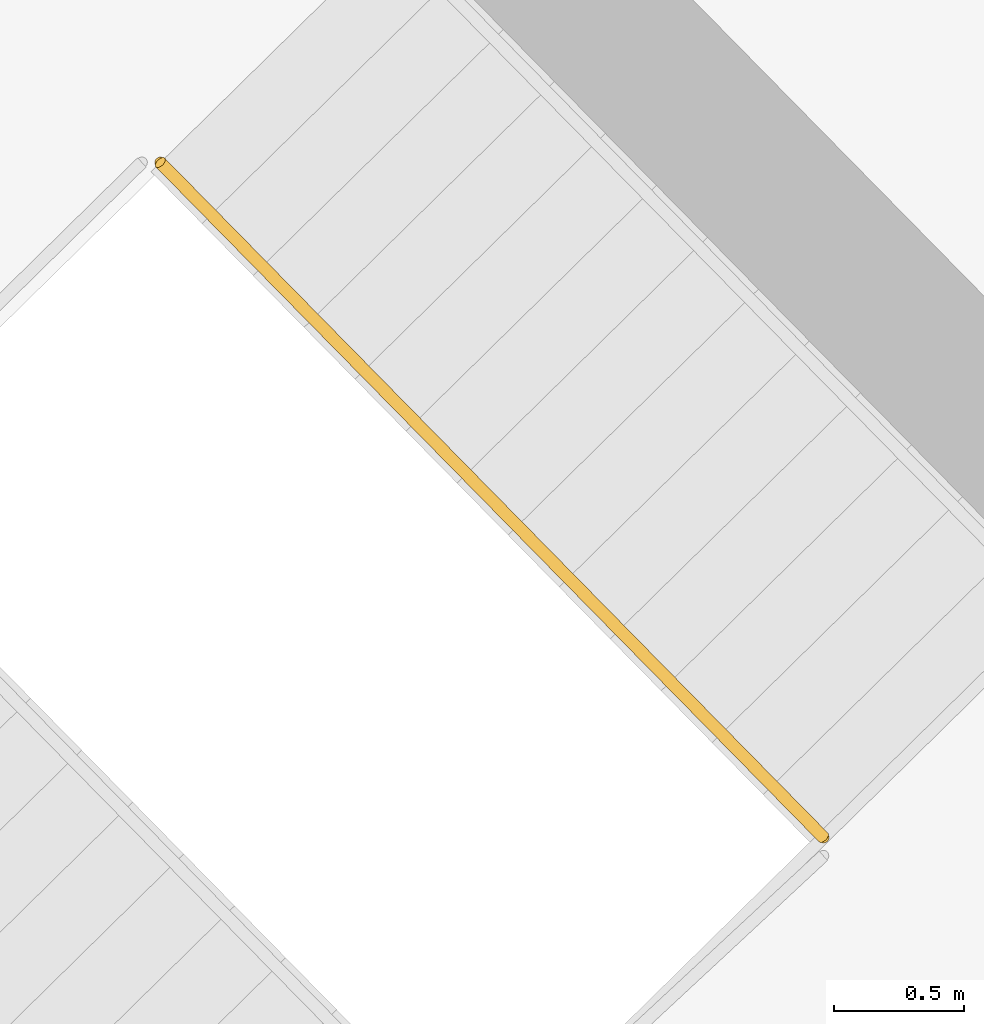
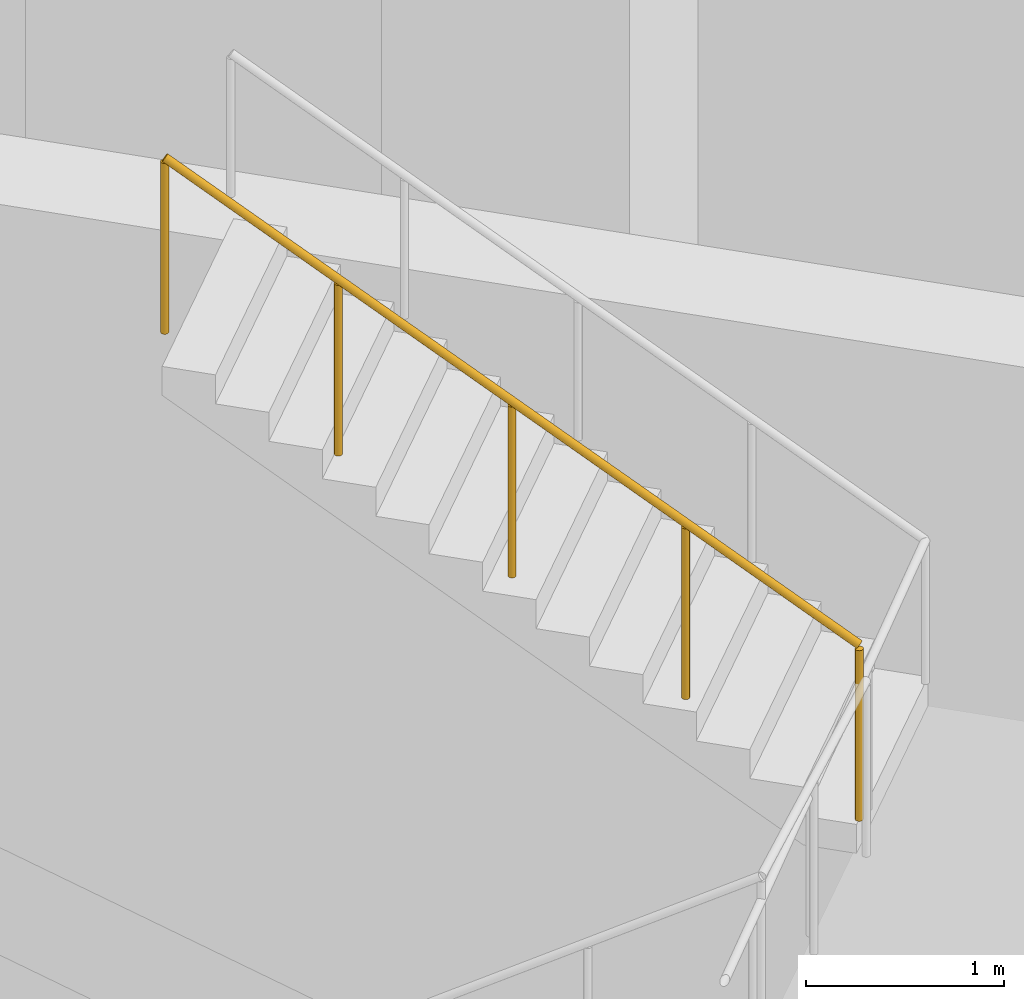
# One storey, part 10 of 10: 1 railing.
"""IFC4 building model written with IfcOpenShell, lengths in metres."""

from ifc_helpers import new_model, si_unit, direction, frame, origin, origin_2d, place, context, subcontext, project, spatial, circle, extrude, material, type_object, element, save


model = new_model("IFC4")

# Units and contexts
model_context = context("Model", 3, precision=1e-05, world=origin(), true_north=direction((0.0, 1.0)))
body_context = subcontext(model_context, "Body", "Model", "MODEL_VIEW")
ifc_project = project(units=[si_unit("LENGTHUNIT", "METRE"), si_unit("AREAUNIT", "SQUARE_METRE"), si_unit("VOLUMEUNIT", "CUBIC_METRE"), si_unit("PLANEANGLEUNIT", "RADIAN"), si_unit("MASSUNIT", "GRAM", prefix="KILO")], contexts=[model_context])

# Site, building, storey
site_placement = place(None, origin())
site = spatial("IfcSite", under=ifc_project, at=site_placement, CompositionType="ELEMENT")
building_placement = place(site_placement, origin())
building = spatial("IfcBuilding", under=site, at=building_placement, Name="Binnacle Exchange Tower", CompositionType="ELEMENT")
storey_placement = place(building_placement, frame((0.0, 0.0, 31.5)))
storey = spatial("IfcBuildingStorey", under=building, at=storey_placement, Name="L06", CompositionType="ELEMENT", Elevation=31.5)

# Railing
ifc_material = material(Name="Steel guard rail", Category="steel")
railing_type = type_object("IfcRailingType", Name="STAIR GUARD 1100", PredefinedType="GUARDRAIL", material=ifc_material)
railing_placement = place(storey_placement, frame((44.693359375, 45.747314453125, 2.678466796875)))
element("IfcRailing", 1, at=railing_placement, inside=storey, type_object=railing_type, Name="L06 STB1 stair guard 2", PredefinedType="GUARDRAIL", context=body_context, shape_type="SweptSolid", body=[
    extrude(circle(Radius=0.02392578125, at=origin_2d()), frame((0.0, 0.0, 1.076171875), z_axis=(-0.590946962671, 0.60135215321, 0.537733461056), x_axis=(-0.713250539553, -0.700909172309, 0.0)), (0.0, 0.0, 1.0), 4.317138671875),
    extrude(circle(Radius=0.02099609375, at=origin_2d()), origin(), (0.0, 0.0, 1.0), 1.052001953125),
    extrude(circle(Radius=0.02099609375, at=origin_2d()), frame((-0.6376953125, 0.64892578125, 0.580322265625)), (0.0, 0.0, 1.0), 1.052001953125),
    extrude(circle(Radius=0.02099609375, at=origin_2d()), frame((-1.275634765625, 1.298095703125, 1.16064453125)), (0.0, 0.0, 1.0), 1.052001953125),
    extrude(circle(Radius=0.02099609375, at=origin_2d()), frame((-1.91357421875, 1.947265625, 1.7412109375)), (0.0, 0.0, 1.0), 1.052001953125),
    extrude(circle(Radius=0.02099609375, at=origin_2d()), frame((-2.55126953125, 2.59619140625, 2.321533203125)), (0.0, 0.0, 1.0), 1.052001953125),
])

save(model, "model.ifc")
